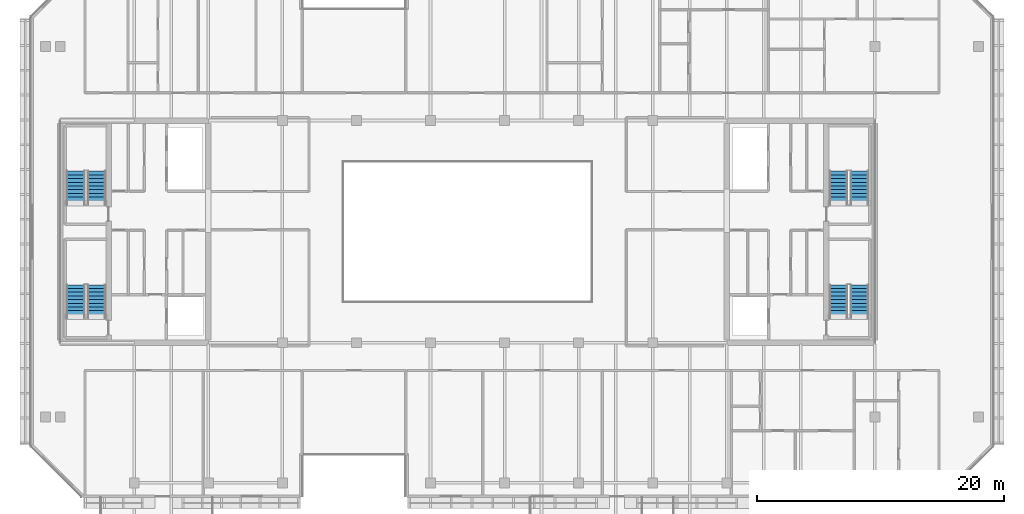
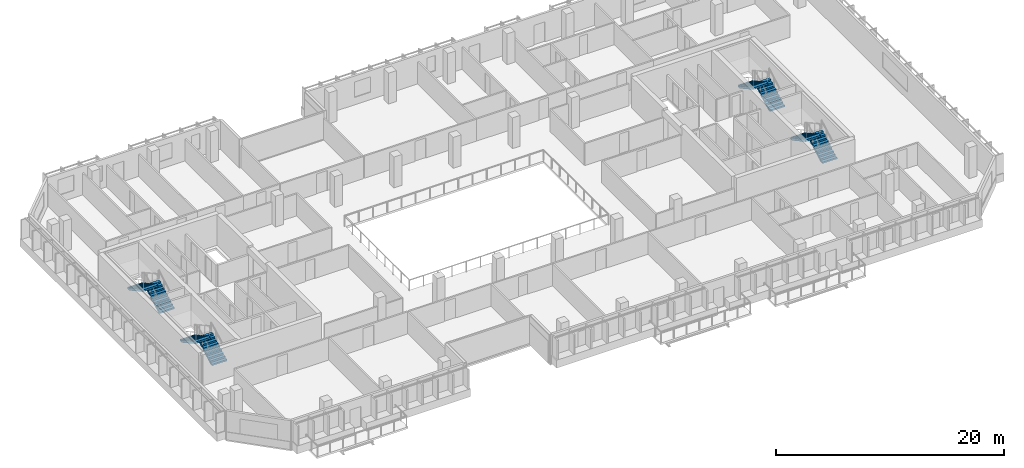
# One storey, part 11 of 16: 8 stair flights, 4 elements without a shape of their own.
"""IFC4 building model written with IfcOpenShell, lengths in metres."""

from ifc_helpers import new_model, si_unit, direction, frame, origin, place, context, subcontext, project, spatial, polyline, outline, extrude, material, type_object, element, aggregate, save


model = new_model("IFC4")

# Units and contexts
model_context = context("Model", 3, precision=1e-05, world=origin(), true_north=direction((0.0, 1.0)))
body_context = subcontext(model_context, "Body", "Model", "MODEL_VIEW")
ifc_project = project(units=[si_unit("LENGTHUNIT", "METRE"), si_unit("AREAUNIT", "SQUARE_METRE"), si_unit("VOLUMEUNIT", "CUBIC_METRE"), si_unit("PLANEANGLEUNIT", "RADIAN"), si_unit("MASSUNIT", "GRAM", prefix="KILO")], contexts=[model_context])

# Site, building, storey
site_placement = place(None, origin())
site = spatial("IfcSite", under=ifc_project, at=site_placement, CompositionType="ELEMENT")
building_placement = place(site_placement, origin())
building = spatial("IfcBuilding", under=site, at=building_placement, Name="Tanjung Sevakor Pilgrim Tower", CompositionType="ELEMENT")
storey_placement = place(building_placement, frame((0.0, 0.0, 191.72998046875)))
storey = spatial("IfcBuildingStorey", under=building, at=storey_placement, Name="L53", CompositionType="ELEMENT", Elevation=191.72998046875)

# Stair, stair flights
ifc_material_1 = material(Name="Concrete C40/50", Category="concrete")
stair_type = type_object("IfcStairType", Name="STAIR-ST-CR150", PredefinedType="HALF_TURN_STAIR", material=ifc_material_1)
stair_1_placement = place(storey_placement, origin())
stair_1 = element("IfcStair", 1, at=stair_1_placement, inside=storey, type_object=stair_type, Name="L53 West Core Exit Stair 1", PredefinedType="HALF_TURN_STAIR")
ifc_material_2 = material(Name="Concrete C40/50", Category="concrete")
stair_flight_type = type_object("IfcStairFlightType", Name="FLIGHT-ST-CR150", PredefinedType="STRAIGHT", material=ifc_material_2)
stair_flight_1_placement = place(storey_placement, frame((26.949951171875, 26.60009765625, 0.0), z_axis=(0.0, 0.0, 1.0), x_axis=(0.0, 1.0, 0.0)))
stair_flight_1 = element("IfcStairFlight", 2, at=stair_flight_1_placement, type_object=stair_flight_type, Name="TS-W1 flight 1", NumberOfRisers=10, NumberOfTreads=9, PredefinedType="STRAIGHT", RiserHeight=0.165, TreadLength=0.3, context=body_context, shape_type="SweptSolid", body=[
    extrude(outline(polyline([(0.0, 0.0), (0.0, 0.1650390625), (0.300048828125, 0.1650390625), (0.300048828125, 0.330078125), (0.60009765625, 0.330078125), (0.60009765625, 0.4951171875), (0.89990234375, 0.4951171875), (0.89990234375, 0.659912109375), (1.199951171875, 0.659912109375), (1.199951171875, 0.824951171875), (1.5, 0.824951171875), (1.5, 0.989990234375), (1.800048828125, 0.989990234375), (1.800048828125, 1.155029296875), (2.10009765625, 1.155029296875), (2.10009765625, 1.320068359375), (2.39990234375, 1.320068359375), (2.39990234375, 1.485107421875), (2.699951171875, 1.485107421875), (2.699951171875, 1.64990234375), (2.699951171875, 1.302490234375), (0.331787109375, 0.0), (0.0, 0.0)])), frame((0.0, 0.75, 0.0), z_axis=(0.0, -1.0, 0.0), x_axis=(1.0, 0.0, 0.0)), (0.0, 0.0, 1.0), 1.5),
])
stair_flight_2_placement = place(storey_placement, frame((25.25, 29.300048828125, 1.64990234375), z_axis=(0.0, 0.0, 1.0), x_axis=(0.0, -1.0, 0.0)))
stair_flight_2 = element("IfcStairFlight", 3, at=stair_flight_2_placement, type_object=stair_flight_type, Name="TS-W1 flight 2", NumberOfRisers=10, NumberOfTreads=9, PredefinedType="STRAIGHT", RiserHeight=0.165, TreadLength=0.3, context=body_context, shape_type="SweptSolid", body=[
    extrude(outline(polyline([(0.0, 0.0), (0.0, 0.1650390625), (0.300048828125, 0.1650390625), (0.300048828125, 0.330078125), (0.60009765625, 0.330078125), (0.60009765625, 0.4951171875), (0.89990234375, 0.4951171875), (0.89990234375, 0.659912109375), (1.199951171875, 0.659912109375), (1.199951171875, 0.824951171875), (1.5, 0.824951171875), (1.5, 0.989990234375), (1.800048828125, 0.989990234375), (1.800048828125, 1.155029296875), (2.10009765625, 1.155029296875), (2.10009765625, 1.320068359375), (2.39990234375, 1.320068359375), (2.39990234375, 1.485107421875), (2.699951171875, 1.485107421875), (2.699951171875, 1.64990234375), (2.699951171875, 1.302490234375), (0.331787109375, 0.0), (0.0, 0.0)])), frame((0.0, 0.75, 0.0), z_axis=(0.0, -1.0, 0.0), x_axis=(1.0, 0.0, 0.0)), (0.0, 0.0, 1.0), 1.5),
])
aggregate(stair_1, [stair_flight_1, stair_flight_2])

stair_2_placement = place(storey_placement, origin())
stair_2 = element("IfcStair", 4, at=stair_2_placement, inside=storey, type_object=stair_type, Name="L53 West Core Exit Stair 2", PredefinedType="HALF_TURN_STAIR")
stair_flight_3_placement = place(storey_placement, frame((26.949951171875, 35.800048828125, 0.0), z_axis=(0.0, 0.0, 1.0), x_axis=(0.0, 1.0, 0.0)))
stair_flight_3 = element("IfcStairFlight", 5, at=stair_flight_3_placement, type_object=stair_flight_type, Name="TS-W2 flight 1", NumberOfRisers=10, NumberOfTreads=9, PredefinedType="STRAIGHT", RiserHeight=0.165, TreadLength=0.3, context=body_context, shape_type="SweptSolid", body=[
    extrude(outline(polyline([(0.0, 0.0), (0.0, 0.1650390625), (0.300048828125, 0.1650390625), (0.300048828125, 0.330078125), (0.60009765625, 0.330078125), (0.60009765625, 0.4951171875), (0.89990234375, 0.4951171875), (0.89990234375, 0.659912109375), (1.199951171875, 0.659912109375), (1.199951171875, 0.824951171875), (1.5, 0.824951171875), (1.5, 0.989990234375), (1.800048828125, 0.989990234375), (1.800048828125, 1.155029296875), (2.10009765625, 1.155029296875), (2.10009765625, 1.320068359375), (2.39990234375, 1.320068359375), (2.39990234375, 1.485107421875), (2.699951171875, 1.485107421875), (2.699951171875, 1.64990234375), (2.699951171875, 1.302490234375), (0.331787109375, 0.0), (0.0, 0.0)])), frame((0.0, 0.75, 0.0), z_axis=(0.0, -1.0, 0.0), x_axis=(1.0, 0.0, 0.0)), (0.0, 0.0, 1.0), 1.5),
])
stair_flight_4_placement = place(storey_placement, frame((25.25, 38.5, 1.64990234375), z_axis=(0.0, 0.0, 1.0), x_axis=(0.0, -1.0, 0.0)))
stair_flight_4 = element("IfcStairFlight", 6, at=stair_flight_4_placement, type_object=stair_flight_type, Name="TS-W2 flight 2", NumberOfRisers=10, NumberOfTreads=9, PredefinedType="STRAIGHT", RiserHeight=0.165, TreadLength=0.3, context=body_context, shape_type="SweptSolid", body=[
    extrude(outline(polyline([(0.0, 0.0), (0.0, 0.1650390625), (0.300048828125, 0.1650390625), (0.300048828125, 0.330078125), (0.60009765625, 0.330078125), (0.60009765625, 0.4951171875), (0.89990234375, 0.4951171875), (0.89990234375, 0.659912109375), (1.199951171875, 0.659912109375), (1.199951171875, 0.824951171875), (1.5, 0.824951171875), (1.5, 0.989990234375), (1.800048828125, 0.989990234375), (1.800048828125, 1.155029296875), (2.10009765625, 1.155029296875), (2.10009765625, 1.320068359375), (2.39990234375, 1.320068359375), (2.39990234375, 1.485107421875), (2.699951171875, 1.485107421875), (2.699951171875, 1.64990234375), (2.699951171875, 1.302490234375), (0.331787109375, 0.0), (0.0, 0.0)])), frame((0.0, 0.75, 0.0), z_axis=(0.0, -1.0, 0.0), x_axis=(1.0, 0.0, 0.0)), (0.0, 0.0, 1.0), 1.5),
])
aggregate(stair_2, [stair_flight_3, stair_flight_4])

stair_3_placement = place(storey_placement, origin())
stair_3 = element("IfcStair", 7, at=stair_3_placement, inside=storey, type_object=stair_type, Name="L53 East Core Exit Stair 1", PredefinedType="HALF_TURN_STAIR")
stair_flight_5_placement = place(storey_placement, frame((88.75, 26.60009765625, 0.0), z_axis=(0.0, 0.0, 1.0), x_axis=(0.0, 1.0, 0.0)))
stair_flight_5 = element("IfcStairFlight", 8, at=stair_flight_5_placement, type_object=stair_flight_type, Name="TS-E1 flight 1", NumberOfRisers=10, NumberOfTreads=9, PredefinedType="STRAIGHT", RiserHeight=0.165, TreadLength=0.3, context=body_context, shape_type="SweptSolid", body=[
    extrude(outline(polyline([(0.0, 0.0), (0.0, 0.1650390625), (0.300048828125, 0.1650390625), (0.300048828125, 0.330078125), (0.60009765625, 0.330078125), (0.60009765625, 0.4951171875), (0.89990234375, 0.4951171875), (0.89990234375, 0.659912109375), (1.199951171875, 0.659912109375), (1.199951171875, 0.824951171875), (1.5, 0.824951171875), (1.5, 0.989990234375), (1.800048828125, 0.989990234375), (1.800048828125, 1.155029296875), (2.10009765625, 1.155029296875), (2.10009765625, 1.320068359375), (2.39990234375, 1.320068359375), (2.39990234375, 1.485107421875), (2.699951171875, 1.485107421875), (2.699951171875, 1.64990234375), (2.699951171875, 1.302490234375), (0.331787109375, 0.0), (0.0, 0.0)])), frame((0.0, 0.75, 0.0), z_axis=(0.0, -1.0, 0.0), x_axis=(1.0, 0.0, 0.0)), (0.0, 0.0, 1.0), 1.5),
])
stair_flight_6_placement = place(storey_placement, frame((87.050048828125, 29.300048828125, 1.64990234375), z_axis=(0.0, 0.0, 1.0), x_axis=(0.0, -1.0, 0.0)))
stair_flight_6 = element("IfcStairFlight", 9, at=stair_flight_6_placement, type_object=stair_flight_type, Name="TS-E1 flight 2", NumberOfRisers=10, NumberOfTreads=9, PredefinedType="STRAIGHT", RiserHeight=0.165, TreadLength=0.3, context=body_context, shape_type="SweptSolid", body=[
    extrude(outline(polyline([(0.0, 0.0), (0.0, 0.1650390625), (0.300048828125, 0.1650390625), (0.300048828125, 0.330078125), (0.60009765625, 0.330078125), (0.60009765625, 0.4951171875), (0.89990234375, 0.4951171875), (0.89990234375, 0.659912109375), (1.199951171875, 0.659912109375), (1.199951171875, 0.824951171875), (1.5, 0.824951171875), (1.5, 0.989990234375), (1.800048828125, 0.989990234375), (1.800048828125, 1.155029296875), (2.10009765625, 1.155029296875), (2.10009765625, 1.320068359375), (2.39990234375, 1.320068359375), (2.39990234375, 1.485107421875), (2.699951171875, 1.485107421875), (2.699951171875, 1.64990234375), (2.699951171875, 1.302490234375), (0.331787109375, 0.0), (0.0, 0.0)])), frame((0.0, 0.75, 0.0), z_axis=(0.0, -1.0, 0.0), x_axis=(1.0, 0.0, 0.0)), (0.0, 0.0, 1.0), 1.5),
])
aggregate(stair_3, [stair_flight_5, stair_flight_6])

stair_4_placement = place(storey_placement, origin())
stair_4 = element("IfcStair", 10, at=stair_4_placement, inside=storey, type_object=stair_type, Name="L53 East Core Exit Stair 2", PredefinedType="HALF_TURN_STAIR")
stair_flight_7_placement = place(storey_placement, frame((88.75, 35.800048828125, 0.0), z_axis=(0.0, 0.0, 1.0), x_axis=(0.0, 1.0, 0.0)))
stair_flight_7 = element("IfcStairFlight", 11, at=stair_flight_7_placement, type_object=stair_flight_type, Name="TS-E2 flight 1", NumberOfRisers=10, NumberOfTreads=9, PredefinedType="STRAIGHT", RiserHeight=0.165, TreadLength=0.3, context=body_context, shape_type="SweptSolid", body=[
    extrude(outline(polyline([(0.0, 0.0), (0.0, 0.1650390625), (0.300048828125, 0.1650390625), (0.300048828125, 0.330078125), (0.60009765625, 0.330078125), (0.60009765625, 0.4951171875), (0.89990234375, 0.4951171875), (0.89990234375, 0.659912109375), (1.199951171875, 0.659912109375), (1.199951171875, 0.824951171875), (1.5, 0.824951171875), (1.5, 0.989990234375), (1.800048828125, 0.989990234375), (1.800048828125, 1.155029296875), (2.10009765625, 1.155029296875), (2.10009765625, 1.320068359375), (2.39990234375, 1.320068359375), (2.39990234375, 1.485107421875), (2.699951171875, 1.485107421875), (2.699951171875, 1.64990234375), (2.699951171875, 1.302490234375), (0.331787109375, 0.0), (0.0, 0.0)])), frame((0.0, 0.75, 0.0), z_axis=(0.0, -1.0, 0.0), x_axis=(1.0, 0.0, 0.0)), (0.0, 0.0, 1.0), 1.5),
])
stair_flight_8_placement = place(storey_placement, frame((87.050048828125, 38.5, 1.64990234375), z_axis=(0.0, 0.0, 1.0), x_axis=(0.0, -1.0, 0.0)))
stair_flight_8 = element("IfcStairFlight", 12, at=stair_flight_8_placement, type_object=stair_flight_type, Name="TS-E2 flight 2", NumberOfRisers=10, NumberOfTreads=9, PredefinedType="STRAIGHT", RiserHeight=0.165, TreadLength=0.3, context=body_context, shape_type="SweptSolid", body=[
    extrude(outline(polyline([(0.0, 0.0), (0.0, 0.1650390625), (0.300048828125, 0.1650390625), (0.300048828125, 0.330078125), (0.60009765625, 0.330078125), (0.60009765625, 0.4951171875), (0.89990234375, 0.4951171875), (0.89990234375, 0.659912109375), (1.199951171875, 0.659912109375), (1.199951171875, 0.824951171875), (1.5, 0.824951171875), (1.5, 0.989990234375), (1.800048828125, 0.989990234375), (1.800048828125, 1.155029296875), (2.10009765625, 1.155029296875), (2.10009765625, 1.320068359375), (2.39990234375, 1.320068359375), (2.39990234375, 1.485107421875), (2.699951171875, 1.485107421875), (2.699951171875, 1.64990234375), (2.699951171875, 1.302490234375), (0.331787109375, 0.0), (0.0, 0.0)])), frame((0.0, 0.75, 0.0), z_axis=(0.0, -1.0, 0.0), x_axis=(1.0, 0.0, 0.0)), (0.0, 0.0, 1.0), 1.5),
])
aggregate(stair_4, [stair_flight_7, stair_flight_8])

save(model, "model.ifc")
